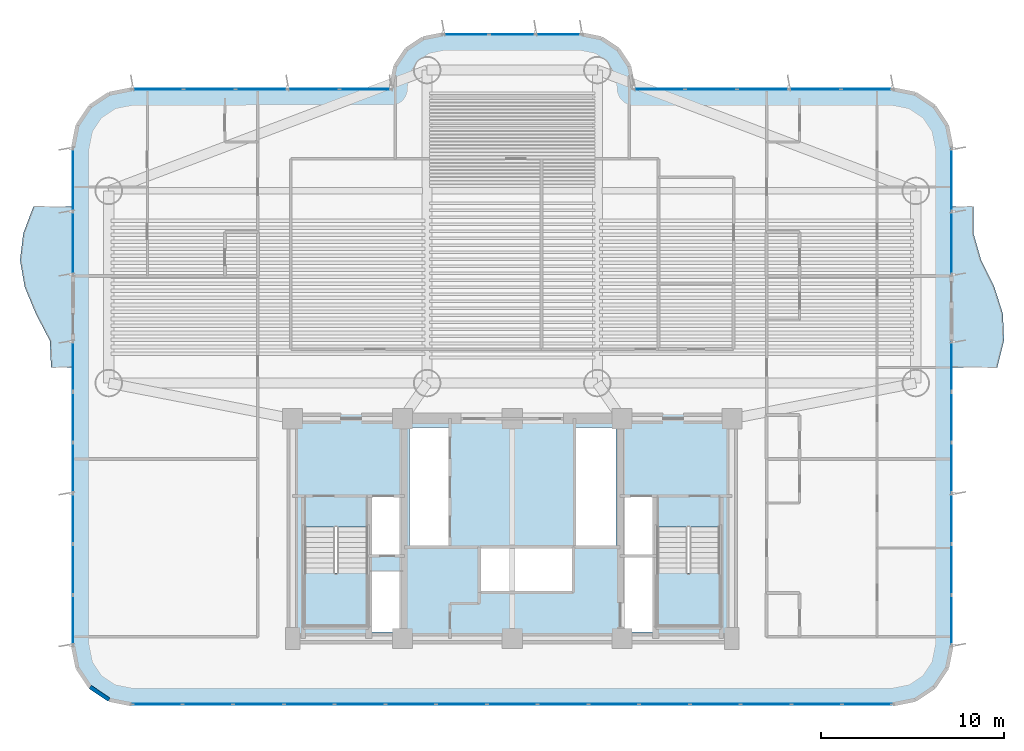
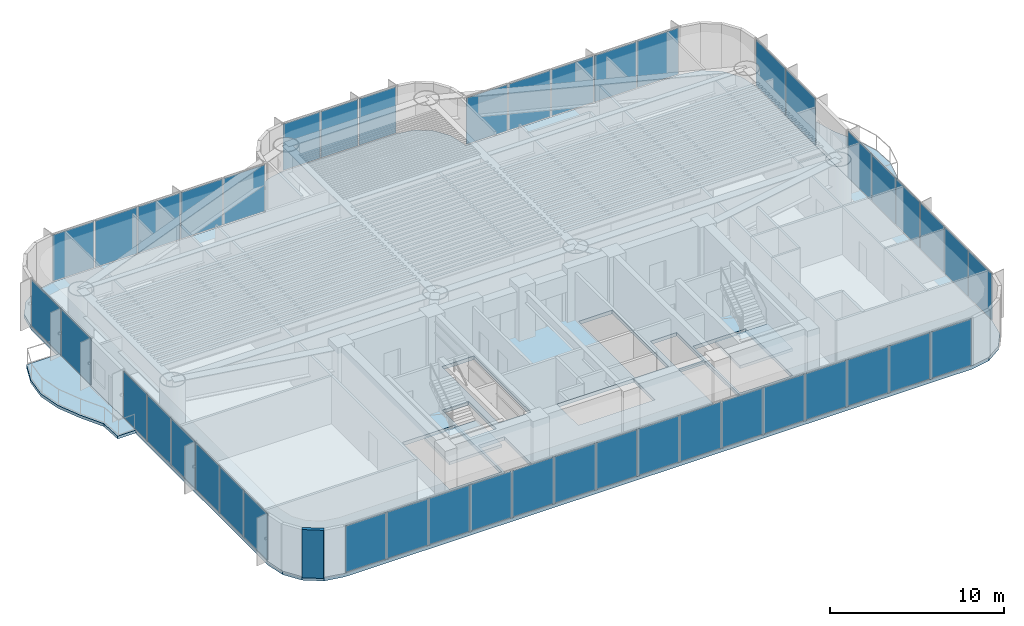
# One storey, part 8 of 17: 44 plates, 5 slabs, 1 wall, 10 elements without a shape of their own.
"""IFC4 building model written with IfcOpenShell, lengths in metres."""

from ifc_helpers import new_model, si_unit, direction, frame, frame_2d, origin, origin_2d, place, context, subcontext, project, spatial, polyline, rectangle, outline, extrude, source, transform, mapped, material, layer, layer_set, type_object, element, aggregate, save


model = new_model("IFC4")

# Units and contexts
model_context = context("Model", 3, precision=1e-05, world=origin(), true_north=direction((0.0, 1.0)))
body_context = subcontext(model_context, "Body", "Model", "MODEL_VIEW")
ifc_project = project(units=[si_unit("LENGTHUNIT", "METRE"), si_unit("AREAUNIT", "SQUARE_METRE"), si_unit("VOLUMEUNIT", "CUBIC_METRE"), si_unit("PLANEANGLEUNIT", "RADIAN"), si_unit("MASSUNIT", "GRAM", prefix="KILO")], contexts=[model_context])

# Site, building, storey
site_placement = place(None, origin())
site = spatial("IfcSite", under=ifc_project, at=site_placement, CompositionType="ELEMENT")
building_placement = place(site_placement, origin())
building = spatial("IfcBuilding", under=site, at=building_placement, Name="Brelvock Crest Care Tower", CompositionType="ELEMENT")
storey_placement = place(building_placement, frame((0.0, 0.0, 76.139892578125)))
storey = spatial("IfcBuildingStorey", under=building, at=storey_placement, Name="L19", CompositionType="ELEMENT", Elevation=76.139892578125)

# Slabs
ifc_material_1 = material(Name="Concrete N50 (50 MPa)", Category="concrete")
ifc_layer_1 = layer(ifc_material_1, 0.22998046875, Name="SLB-FL4")
ifc_layer_set_1 = layer_set([ifc_layer_1], Name="Concrete N50 (50 MPa)")
slab_type_1 = type_object("IfcSlabType", Name="SLB-FL4", PredefinedType="FLOOR", material=ifc_layer_set_1)
slab_1_placement = place(storey_placement, frame((0.0, 0.0, -0.25)))
element("IfcSlab", 1, at=slab_1_placement, inside=storey, type_object=slab_type_1, Name="L19 Main Structural Slab", PredefinedType="FLOOR", context=body_context, shape_type="SweptSolid", body=[
    extrude(outline(polyline([(56.800048828125, 36.0), (42.60009765625, 36.0), (42.60009765625, 36.199951171875), (42.386962890625, 37.271484375), (41.77978515625, 38.179931640625), (40.87158203125, 38.786865234375), (39.800048828125, 39.0), (32.199951171875, 39.0), (31.12841796875, 38.786865234375), (30.22021484375, 38.179931640625), (29.613037109375, 37.271484375), (29.39990234375, 36.199951171875), (29.39990234375, 36.0), (15.199951171875, 36.0), (13.975341796875, 35.75634765625), (12.937255859375, 35.062744140625), (12.24365234375, 34.024658203125), (12.0, 32.800048828125), (12.0, 5.60009765625), (12.24365234375, 4.37548828125), (12.937255859375, 3.33740234375), (13.975341796875, 2.6435546875), (15.199951171875, 2.39990234375), (56.800048828125, 2.39990234375), (58.024658203125, 2.6435546875), (59.062744140625, 3.33740234375), (59.75634765625, 4.37548828125), (60.0, 5.60009765625), (60.0, 32.800048828125), (59.75634765625, 34.024658203125), (59.062744140625, 35.062744140625), (58.024658203125, 35.75634765625), (56.800048828125, 36.0)]), holes=[polyline([(28.239990234375, 10.580078125), (29.97998046875, 10.580078125), (29.97998046875, 13.739990234375), (28.239990234375, 13.739990234375), (28.239990234375, 10.580078125)]), polyline([(42.02001953125, 10.580078125), (43.760009765625, 10.580078125), (43.760009765625, 13.739990234375), (42.02001953125, 13.739990234375), (42.02001953125, 10.580078125)]), polyline([(28.239990234375, 6.340087890625), (29.97998046875, 6.340087890625), (29.97998046875, 9.64990234375), (28.239990234375, 9.64990234375), (28.239990234375, 6.340087890625)]), polyline([(24.6298828125, 12.080078125), (24.6298828125, 6.699951171875), (28.110107421875, 6.699951171875), (28.110107421875, 12.080078125), (24.6298828125, 12.080078125)]), polyline([(43.889892578125, 12.080078125), (43.889892578125, 6.699951171875), (47.3701171875, 6.699951171875), (47.3701171875, 12.080078125), (43.889892578125, 12.080078125)]), polyline([(42.02001953125, 6.340087890625), (43.760009765625, 6.340087890625), (43.760009765625, 10.5), (42.02001953125, 10.5), (42.02001953125, 6.340087890625)]), polyline([(30.3798828125, 11.030029296875), (32.52001953125, 11.030029296875), (32.52001953125, 17.52001953125), (30.3798828125, 17.52001953125), (30.3798828125, 11.030029296875)]), polyline([(34.22998046875, 8.530029296875), (39.320068359375, 8.530029296875), (39.320068359375, 10.969970703125), (34.22998046875, 10.969970703125), (34.22998046875, 8.530029296875)]), polyline([(39.429931640625, 11.030029296875), (41.669921875, 11.030029296875), (41.669921875, 17.52001953125), (39.429931640625, 17.52001953125), (39.429931640625, 11.030029296875)])]), origin(), (0.0, 0.0, 1.0), 0.25),
])
ifc_layer_2 = layer(ifc_material_1, 0.199951171875, Name="SLB-WB2")
ifc_layer_set_2 = layer_set([ifc_layer_2], Name="Concrete N50 (50 MPa)")
slab_type_2 = type_object("IfcSlabType", Name="SLB-WB2", PredefinedType="FLOOR", material=ifc_layer_set_2)
slab_2_placement = place(storey_placement, frame((0.0, 0.0, -0.199951171875)))
element("IfcSlab", 2, at=slab_2_placement, inside=storey, type_object=slab_type_2, Name="L19 W Sinusoidal Wave Balcony Slab", PredefinedType="FLOOR", context=body_context, shape_type="SweptSolid", body=[
    extrude(outline(polyline([(12.0, 29.60009765625), (9.837158203125, 29.60009765625), (9.281005859375, 28.13330078125), (9.101806640625, 26.666748046875), (9.35791015625, 25.199951171875), (9.96630859375, 23.7333984375), (10.730712890625, 22.2666015625), (10.800048828125, 20.800048828125), (12.0, 20.800048828125), (12.0, 29.60009765625)])), origin(), (0.0, 0.0, 1.0), 0.199951171875),
])
slab_3_placement = place(storey_placement, frame((0.0, 0.0, -0.199951171875)))
element("IfcSlab", 3, at=slab_3_placement, inside=storey, type_object=slab_type_2, Name="L19 E Sinusoidal Wave Balcony Slab", PredefinedType="FLOOR", context=body_context, shape_type="SweptSolid", body=[
    extrude(outline(polyline([(60.0, 20.800048828125), (62.504638671875, 20.800048828125), (62.87060546875, 22.2666015625), (62.810302734375, 23.7333984375), (62.343505859375, 25.199951171875), (61.62060546875, 26.666748046875), (61.199951171875, 28.13330078125), (61.199951171875, 29.60009765625), (60.0, 29.60009765625), (60.0, 20.800048828125)])), origin(), (0.0, 0.0, 1.0), 0.199951171875),
])

# Stair, slab
ifc_material_2 = material(Name="Concrete N40 (40 MPa)", Category="concrete")
stair_type = type_object("IfcStairType", Name="ST-CORE1", PredefinedType="HALF_TURN_STAIR", material=ifc_material_2)
stair_1_placement = place(storey_placement, origin())
stair_1 = element("IfcStair", 4, at=stair_1_placement, inside=storey, type_object=stair_type, Name="L19 Fire-Isolated Core Stair ST-1", PredefinedType="HALF_TURN_STAIR")
ifc_layer_3 = layer(ifc_material_2, 0.199951171875, Name="STL-1")
ifc_layer_set_3 = layer_set([ifc_layer_3], Name="Concrete N40 (40 MPa)")
slab_type_3 = type_object("IfcSlabType", Name="STL-1", PredefinedType="LANDING", material=ifc_layer_set_3)
slab_4_placement = place(storey_placement, frame((0.0, 0.0, 1.690185546875)))
slab_4 = element("IfcSlab", 5, at=slab_4_placement, type_object=slab_type_3, Name="ST-1 landing 1", PredefinedType="LANDING", context=body_context, shape_type="SweptSolid", body=[
    extrude(outline(polyline([(24.6298828125, 9.56005859375), (24.6298828125, 6.699951171875), (28.110107421875, 6.699951171875), (28.110107421875, 9.56005859375), (24.6298828125, 9.56005859375)])), origin(), (0.0, 0.0, 1.0), 0.199951171875),
])
aggregate(stair_1, [slab_4])

stair_2_placement = place(storey_placement, origin())
stair_2 = element("IfcStair", 6, at=stair_2_placement, inside=storey, type_object=stair_type, Name="L19 Fire-Isolated Core Stair ST-2", PredefinedType="HALF_TURN_STAIR")
slab_5_placement = place(storey_placement, frame((0.0, 0.0, 1.690185546875)))
slab_5 = element("IfcSlab", 7, at=slab_5_placement, type_object=slab_type_3, Name="ST-2 landing 1", PredefinedType="LANDING", context=body_context, shape_type="SweptSolid", body=[
    extrude(outline(polyline([(43.889892578125, 9.56005859375), (43.889892578125, 6.699951171875), (47.3701171875, 6.699951171875), (47.3701171875, 9.56005859375), (43.889892578125, 9.56005859375)])), origin(), (0.0, 0.0, 1.0), 0.199951171875),
])
aggregate(stair_2, [slab_5])

# Curtain wall, plates
ifc_material_3 = material(Name="Dark Glass Double Glazed Low-E", Category="glass")
ifc_layer_4 = layer(ifc_material_3, 0.195068359375, Name="CWS-2")
ifc_layer_set_4 = layer_set([ifc_layer_4], Name="Dark Glass Double Glazed Low-E")
curtain_wall_type = type_object("IfcCurtainWallType", Name="CWS-2", PredefinedType="NOTDEFINED", material=ifc_layer_set_4)
curtain_wall_1_placement = place(storey_placement, origin())
curtain_wall_1 = element("IfcCurtainWall", 8, at=curtain_wall_1_placement, inside=storey, type_object=curtain_wall_type, Name="L19 Curtain Wall E03A", PredefinedType="NOTDEFINED")
ifc_layer_5 = layer(ifc_material_3, 0.031982421875, Name="CWP-V1")
ifc_layer_set_5 = layer_set([ifc_layer_5], Name="Dark Glass Double Glazed Low-E")
plate_type = type_object("IfcPlateType", Name="CWP-V1", PredefinedType="CURTAIN_PANEL", material=ifc_layer_set_5)
shared_shape_1 = source(origin(), body_context, "Body", "SweptSolid", [
    extrude(rectangle(XDim=3.37744140625, YDim=0.035888671875, at=origin_2d()), origin(), (0.0, 0.0, 1.0), 3.241943359375),
])
plate_1_placement = place(storey_placement, frame((60.0, 31.046142578125, 0.06494140625), z_axis=(0.0, 0.0, 1.0), x_axis=(0.0, -1.0, 0.0)))
plate_1 = element("IfcPlate", 9, at=plate_1_placement, type_object=plate_type, Name="CW-2 panel 1.1", PredefinedType="CURTAIN_PANEL", context=body_context, shape_type="MappedRepresentation", body=[
    mapped(shared_shape_1, transform((0.0, 0.0, 0.0), x_axis=(1.0, 0.0, 0.0), y_axis=(0.0, 1.0, 0.0), z_axis=(0.0, 0.0, 1.0), scale=1.0)),
])
plate_2_placement = place(storey_placement, frame((60.0, 27.603759765625, 0.06494140625), z_axis=(0.0, 0.0, 1.0), x_axis=(0.0, -1.0, 0.0)))
plate_2 = element("IfcPlate", 10, at=plate_2_placement, type_object=plate_type, Name="CW-2 panel 2.1", PredefinedType="CURTAIN_PANEL", context=body_context, shape_type="MappedRepresentation", body=[
    mapped(shared_shape_1, transform((0.0, 0.0, 0.0), x_axis=(1.0, 0.0, 0.0), y_axis=(0.0, 1.0, 0.0), z_axis=(0.0, 0.0, 1.0), scale=1.0)),
])
aggregate(curtain_wall_1, [plate_1, plate_2])

curtain_wall_2_placement = place(storey_placement, origin())
curtain_wall_2 = element("IfcCurtainWall", 11, at=curtain_wall_2_placement, inside=storey, type_object=curtain_wall_type, Name="L19 Curtain Wall E13B", PredefinedType="NOTDEFINED")
plate_3_placement = place(storey_placement, frame((12.0, 27.603759765625, 0.06494140625), z_axis=(0.0, 0.0, 1.0), x_axis=(0.0, 1.0, 0.0)))
plate_3 = element("IfcPlate", 12, at=plate_3_placement, type_object=plate_type, Name="CW-2 panel 1.1", PredefinedType="CURTAIN_PANEL", context=body_context, shape_type="MappedRepresentation", body=[
    mapped(shared_shape_1, transform((0.0, 0.0, 0.0), x_axis=(1.0, 0.0, 0.0), y_axis=(0.0, 1.0, 0.0), z_axis=(0.0, 0.0, 1.0), scale=1.0)),
])
plate_4_placement = place(storey_placement, frame((12.0, 31.046142578125, 0.06494140625), z_axis=(0.0, 0.0, 1.0), x_axis=(0.0, 1.0, 0.0)))
plate_4 = element("IfcPlate", 13, at=plate_4_placement, type_object=plate_type, Name="CW-2 panel 2.1", PredefinedType="CURTAIN_PANEL", context=body_context, shape_type="MappedRepresentation", body=[
    mapped(shared_shape_1, transform((0.0, 0.0, 0.0), x_axis=(1.0, 0.0, 0.0), y_axis=(0.0, 1.0, 0.0), z_axis=(0.0, 0.0, 1.0), scale=1.0)),
])
aggregate(curtain_wall_2, [plate_3, plate_4])

curtain_wall_3_placement = place(storey_placement, origin())
curtain_wall_3 = element("IfcCurtainWall", 14, at=curtain_wall_3_placement, inside=storey, type_object=curtain_wall_type, Name="L19 Curtain Wall E03B", PredefinedType="NOTDEFINED")
shared_shape_2 = source(origin(), body_context, "Body", "SweptSolid", [
    extrude(rectangle(XDim=2.677490234375, YDim=0.035888671875, at=origin_2d()), origin(), (0.0, 0.0, 1.0), 3.241943359375),
])
plate_5_placement = place(storey_placement, frame((60.0, 20.84619140625, 0.06494140625), z_axis=(0.0, 0.0, 1.0), x_axis=(0.0, -1.0, 0.0)))
plate_5 = element("IfcPlate", 15, at=plate_5_placement, type_object=plate_type, Name="CW-2 panel 1.1", PredefinedType="CURTAIN_PANEL", context=body_context, shape_type="MappedRepresentation", body=[
    mapped(shared_shape_2, transform((0.0, 0.0, 0.0), x_axis=(1.0, 0.0, 0.0), y_axis=(0.0, 1.0, 0.0), z_axis=(0.0, 0.0, 1.0), scale=1.0)),
])
plate_6_placement = place(storey_placement, frame((60.0, 7.003662109375, 0.06494140625), z_axis=(0.0, 0.0, 1.0), x_axis=(0.0, -1.0, 0.0)))
plate_6 = element("IfcPlate", 16, at=plate_6_placement, type_object=plate_type, Name="CW-2 panel 6.1", PredefinedType="CURTAIN_PANEL", context=body_context, shape_type="MappedRepresentation", body=[
    mapped(shared_shape_2, transform((0.0, 0.0, 0.0), x_axis=(1.0, 0.0, 0.0), y_axis=(0.0, 1.0, 0.0), z_axis=(0.0, 0.0, 1.0), scale=1.0)),
])

curtain_wall_4_placement = place(storey_placement, origin())
curtain_wall_4 = element("IfcCurtainWall", 17, at=curtain_wall_4_placement, inside=storey, type_object=curtain_wall_type, Name="L19 Curtain Wall E13A", PredefinedType="NOTDEFINED")
plate_7_placement = place(storey_placement, frame((12.0, 7.003662109375, 0.06494140625), z_axis=(0.0, 0.0, 1.0), x_axis=(0.0, 1.0, 0.0)))
plate_7 = element("IfcPlate", 18, at=plate_7_placement, type_object=plate_type, Name="CW-2 panel 1.1", PredefinedType="CURTAIN_PANEL", context=body_context, shape_type="MappedRepresentation", body=[
    mapped(shared_shape_2, transform((0.0, 0.0, 0.0), x_axis=(1.0, 0.0, 0.0), y_axis=(0.0, 1.0, 0.0), z_axis=(0.0, 0.0, 1.0), scale=1.0)),
])
plate_8_placement = place(storey_placement, frame((12.0, 20.84619140625, 0.06494140625), z_axis=(0.0, 0.0, 1.0), x_axis=(0.0, 1.0, 0.0)))
plate_8 = element("IfcPlate", 19, at=plate_8_placement, type_object=plate_type, Name="CW-2 panel 6.1", PredefinedType="CURTAIN_PANEL", context=body_context, shape_type="MappedRepresentation", body=[
    mapped(shared_shape_2, transform((0.0, 0.0, 0.0), x_axis=(1.0, 0.0, 0.0), y_axis=(0.0, 1.0, 0.0), z_axis=(0.0, 0.0, 1.0), scale=1.0)),
])

# Plate
shared_shape_3 = source(origin(), body_context, "Body", "SweptSolid", [
    extrude(rectangle(XDim=2.7099609375, YDim=0.035888671875, at=origin_2d()), origin(), (0.0, 0.0, 1.0), 3.241943359375),
])
plate_9_placement = place(storey_placement, frame((60.0, 18.08740234375, 0.06494140625), z_axis=(0.0, 0.0, 1.0), x_axis=(0.0, -1.0, 0.0)))
plate_9 = element("IfcPlate", 20, at=plate_9_placement, type_object=plate_type, Name="CW-2 panel 2.1", PredefinedType="CURTAIN_PANEL", context=body_context, shape_type="MappedRepresentation", body=[
    mapped(shared_shape_3, transform((0.0, 0.0, 0.0), x_axis=(1.0, 0.0, 0.0), y_axis=(0.0, 1.0, 0.0), z_axis=(0.0, 0.0, 1.0), scale=1.0)),
])

plate_10_placement = place(storey_placement, frame((60.0, 15.3125, 0.06494140625), z_axis=(0.0, 0.0, 1.0), x_axis=(0.0, -1.0, 0.0)))
plate_10 = element("IfcPlate", 21, at=plate_10_placement, type_object=plate_type, Name="CW-2 panel 3.1", PredefinedType="CURTAIN_PANEL", context=body_context, shape_type="MappedRepresentation", body=[
    mapped(shared_shape_3, transform((0.0, 0.0, 0.0), x_axis=(1.0, 0.0, 0.0), y_axis=(0.0, 1.0, 0.0), z_axis=(0.0, 0.0, 1.0), scale=1.0)),
])

plate_11_placement = place(storey_placement, frame((60.0, 12.53759765625, 0.06494140625), z_axis=(0.0, 0.0, 1.0), x_axis=(0.0, -1.0, 0.0)))
plate_11 = element("IfcPlate", 22, at=plate_11_placement, type_object=plate_type, Name="CW-2 panel 4.1", PredefinedType="CURTAIN_PANEL", context=body_context, shape_type="MappedRepresentation", body=[
    mapped(shared_shape_3, transform((0.0, 0.0, 0.0), x_axis=(1.0, 0.0, 0.0), y_axis=(0.0, 1.0, 0.0), z_axis=(0.0, 0.0, 1.0), scale=1.0)),
])

plate_12_placement = place(storey_placement, frame((60.0, 9.762451171875, 0.06494140625), z_axis=(0.0, 0.0, 1.0), x_axis=(0.0, -1.0, 0.0)))
plate_12 = element("IfcPlate", 23, at=plate_12_placement, type_object=plate_type, Name="CW-2 panel 5.1", PredefinedType="CURTAIN_PANEL", context=body_context, shape_type="MappedRepresentation", body=[
    mapped(shared_shape_3, transform((0.0, 0.0, 0.0), x_axis=(1.0, 0.0, 0.0), y_axis=(0.0, 1.0, 0.0), z_axis=(0.0, 0.0, 1.0), scale=1.0)),
])

aggregate(curtain_wall_3, [plate_5, plate_9, plate_10, plate_11, plate_12, plate_6])

plate_13_placement = place(storey_placement, frame((12.0, 9.762451171875, 0.06494140625), z_axis=(0.0, 0.0, 1.0), x_axis=(0.0, 1.0, 0.0)))
plate_13 = element("IfcPlate", 24, at=plate_13_placement, type_object=plate_type, Name="CW-2 panel 2.1", PredefinedType="CURTAIN_PANEL", context=body_context, shape_type="MappedRepresentation", body=[
    mapped(shared_shape_3, transform((0.0, 0.0, 0.0), x_axis=(1.0, 0.0, 0.0), y_axis=(0.0, 1.0, 0.0), z_axis=(0.0, 0.0, 1.0), scale=1.0)),
])

plate_14_placement = place(storey_placement, frame((12.0, 12.53759765625, 0.06494140625), z_axis=(0.0, 0.0, 1.0), x_axis=(0.0, 1.0, 0.0)))
plate_14 = element("IfcPlate", 25, at=plate_14_placement, type_object=plate_type, Name="CW-2 panel 3.1", PredefinedType="CURTAIN_PANEL", context=body_context, shape_type="MappedRepresentation", body=[
    mapped(shared_shape_3, transform((0.0, 0.0, 0.0), x_axis=(1.0, 0.0, 0.0), y_axis=(0.0, 1.0, 0.0), z_axis=(0.0, 0.0, 1.0), scale=1.0)),
])

plate_15_placement = place(storey_placement, frame((12.0, 15.3125, 0.06494140625), z_axis=(0.0, 0.0, 1.0), x_axis=(0.0, 1.0, 0.0)))
plate_15 = element("IfcPlate", 26, at=plate_15_placement, type_object=plate_type, Name="CW-2 panel 4.1", PredefinedType="CURTAIN_PANEL", context=body_context, shape_type="MappedRepresentation", body=[
    mapped(shared_shape_3, transform((0.0, 0.0, 0.0), x_axis=(1.0, 0.0, 0.0), y_axis=(0.0, 1.0, 0.0), z_axis=(0.0, 0.0, 1.0), scale=1.0)),
])

plate_16_placement = place(storey_placement, frame((12.0, 18.08740234375, 0.06494140625), z_axis=(0.0, 0.0, 1.0), x_axis=(0.0, 1.0, 0.0)))
plate_16 = element("IfcPlate", 27, at=plate_16_placement, type_object=plate_type, Name="CW-2 panel 5.1", PredefinedType="CURTAIN_PANEL", context=body_context, shape_type="MappedRepresentation", body=[
    mapped(shared_shape_3, transform((0.0, 0.0, 0.0), x_axis=(1.0, 0.0, 0.0), y_axis=(0.0, 1.0, 0.0), z_axis=(0.0, 0.0, 1.0), scale=1.0)),
])

aggregate(curtain_wall_4, [plate_7, plate_13, plate_14, plate_15, plate_16, plate_8])

# Curtain wall, plates
curtain_wall_5_placement = place(storey_placement, origin())
curtain_wall_5 = element("IfcCurtainWall", 28, at=curtain_wall_5_placement, inside=storey, type_object=curtain_wall_type, Name="L19 Curtain Wall E08", PredefinedType="NOTDEFINED")
shared_shape_4 = source(origin(), body_context, "Body", "SweptSolid", [
    extrude(rectangle(XDim=2.67578125, YDim=0.035888671875, at=origin_2d()), origin(), (0.0, 0.0, 1.0), 3.241943359375),
])
plate_17_placement = place(storey_placement, frame((55.39697265625, 2.39990234375, 0.06494140625), z_axis=(0.0, 0.0, 1.0), x_axis=(-1.0, 0.0, 0.0)))
plate_17 = element("IfcPlate", 29, at=plate_17_placement, type_object=plate_type, Name="CW-2 panel 1.1", PredefinedType="CURTAIN_PANEL", context=body_context, shape_type="MappedRepresentation", body=[
    mapped(shared_shape_4, transform((0.0, 0.0, 0.0), x_axis=(1.0, 0.0, 0.0), y_axis=(0.0, 1.0, 0.0), z_axis=(0.0, 0.0, 1.0), scale=1.0)),
])
plate_18_placement = place(storey_placement, frame((16.60302734375, 2.39990234375, 0.06494140625), z_axis=(0.0, 0.0, 1.0), x_axis=(-1.0, 0.0, 0.0)))
plate_18 = element("IfcPlate", 30, at=plate_18_placement, type_object=plate_type, Name="CW-2 panel 15.1", PredefinedType="CURTAIN_PANEL", context=body_context, shape_type="MappedRepresentation", body=[
    mapped(shared_shape_4, transform((0.0, 0.0, 0.0), x_axis=(1.0, 0.0, 0.0), y_axis=(0.0, 1.0, 0.0), z_axis=(0.0, 0.0, 1.0), scale=1.0)),
])
shared_shape_5 = source(origin(), body_context, "Body", "SweptSolid", [
    extrude(rectangle(XDim=2.708251953125, YDim=0.035888671875, at=origin_2d()), origin(), (0.0, 0.0, 1.0), 3.241943359375),
])
plate_19_placement = place(storey_placement, frame((52.639892578125, 2.39990234375, 0.06494140625), z_axis=(0.0, 0.0, 1.0), x_axis=(-1.0, 0.0, 0.0)))
plate_19 = element("IfcPlate", 31, at=plate_19_placement, type_object=plate_type, Name="CW-2 panel 2.1", PredefinedType="CURTAIN_PANEL", context=body_context, shape_type="MappedRepresentation", body=[
    mapped(shared_shape_5, transform((0.0, 0.0, 0.0), x_axis=(1.0, 0.0, 0.0), y_axis=(0.0, 1.0, 0.0), z_axis=(0.0, 0.0, 1.0), scale=1.0)),
])
plate_20_placement = place(storey_placement, frame((49.86669921875, 2.39990234375, 0.06494140625), z_axis=(0.0, 0.0, 1.0), x_axis=(-1.0, 0.0, 0.0)))
plate_20 = element("IfcPlate", 32, at=plate_20_placement, type_object=plate_type, Name="CW-2 panel 3.1", PredefinedType="CURTAIN_PANEL", context=body_context, shape_type="MappedRepresentation", body=[
    mapped(shared_shape_5, transform((0.0, 0.0, 0.0), x_axis=(1.0, 0.0, 0.0), y_axis=(0.0, 1.0, 0.0), z_axis=(0.0, 0.0, 1.0), scale=1.0)),
])
plate_21_placement = place(storey_placement, frame((47.09326171875, 2.39990234375, 0.06494140625), z_axis=(0.0, 0.0, 1.0), x_axis=(-1.0, 0.0, 0.0)))
plate_21 = element("IfcPlate", 33, at=plate_21_placement, type_object=plate_type, Name="CW-2 panel 4.1", PredefinedType="CURTAIN_PANEL", context=body_context, shape_type="MappedRepresentation", body=[
    mapped(shared_shape_5, transform((0.0, 0.0, 0.0), x_axis=(1.0, 0.0, 0.0), y_axis=(0.0, 1.0, 0.0), z_axis=(0.0, 0.0, 1.0), scale=1.0)),
])
plate_22_placement = place(storey_placement, frame((44.320068359375, 2.39990234375, 0.06494140625), z_axis=(0.0, 0.0, 1.0), x_axis=(-1.0, 0.0, 0.0)))
plate_22 = element("IfcPlate", 34, at=plate_22_placement, type_object=plate_type, Name="CW-2 panel 5.1", PredefinedType="CURTAIN_PANEL", context=body_context, shape_type="MappedRepresentation", body=[
    mapped(shared_shape_5, transform((0.0, 0.0, 0.0), x_axis=(1.0, 0.0, 0.0), y_axis=(0.0, 1.0, 0.0), z_axis=(0.0, 0.0, 1.0), scale=1.0)),
])
plate_23_placement = place(storey_placement, frame((41.546630859375, 2.39990234375, 0.06494140625), z_axis=(0.0, 0.0, 1.0), x_axis=(-1.0, 0.0, 0.0)))
plate_23 = element("IfcPlate", 35, at=plate_23_placement, type_object=plate_type, Name="CW-2 panel 6.1", PredefinedType="CURTAIN_PANEL", context=body_context, shape_type="MappedRepresentation", body=[
    mapped(shared_shape_5, transform((0.0, 0.0, 0.0), x_axis=(1.0, 0.0, 0.0), y_axis=(0.0, 1.0, 0.0), z_axis=(0.0, 0.0, 1.0), scale=1.0)),
])
plate_24_placement = place(storey_placement, frame((38.7734375, 2.39990234375, 0.06494140625), z_axis=(0.0, 0.0, 1.0), x_axis=(-1.0, 0.0, 0.0)))
plate_24 = element("IfcPlate", 36, at=plate_24_placement, type_object=plate_type, Name="CW-2 panel 7.1", PredefinedType="CURTAIN_PANEL", context=body_context, shape_type="MappedRepresentation", body=[
    mapped(shared_shape_5, transform((0.0, 0.0, 0.0), x_axis=(1.0, 0.0, 0.0), y_axis=(0.0, 1.0, 0.0), z_axis=(0.0, 0.0, 1.0), scale=1.0)),
])
plate_25_placement = place(storey_placement, frame((36.0, 2.39990234375, 0.06494140625), z_axis=(0.0, 0.0, 1.0), x_axis=(-1.0, 0.0, 0.0)))
plate_25 = element("IfcPlate", 37, at=plate_25_placement, type_object=plate_type, Name="CW-2 panel 8.1", PredefinedType="CURTAIN_PANEL", context=body_context, shape_type="MappedRepresentation", body=[
    mapped(shared_shape_5, transform((0.0, 0.0, 0.0), x_axis=(1.0, 0.0, 0.0), y_axis=(0.0, 1.0, 0.0), z_axis=(0.0, 0.0, 1.0), scale=1.0)),
])
plate_26_placement = place(storey_placement, frame((33.2265625, 2.39990234375, 0.06494140625), z_axis=(0.0, 0.0, 1.0), x_axis=(-1.0, 0.0, 0.0)))
plate_26 = element("IfcPlate", 38, at=plate_26_placement, type_object=plate_type, Name="CW-2 panel 9.1", PredefinedType="CURTAIN_PANEL", context=body_context, shape_type="MappedRepresentation", body=[
    mapped(shared_shape_5, transform((0.0, 0.0, 0.0), x_axis=(1.0, 0.0, 0.0), y_axis=(0.0, 1.0, 0.0), z_axis=(0.0, 0.0, 1.0), scale=1.0)),
])
plate_27_placement = place(storey_placement, frame((30.453369140625, 2.39990234375, 0.06494140625), z_axis=(0.0, 0.0, 1.0), x_axis=(-1.0, 0.0, 0.0)))
plate_27 = element("IfcPlate", 39, at=plate_27_placement, type_object=plate_type, Name="CW-2 panel 10.1", PredefinedType="CURTAIN_PANEL", context=body_context, shape_type="MappedRepresentation", body=[
    mapped(shared_shape_5, transform((0.0, 0.0, 0.0), x_axis=(1.0, 0.0, 0.0), y_axis=(0.0, 1.0, 0.0), z_axis=(0.0, 0.0, 1.0), scale=1.0)),
])
plate_28_placement = place(storey_placement, frame((27.679931640625, 2.39990234375, 0.06494140625), z_axis=(0.0, 0.0, 1.0), x_axis=(-1.0, 0.0, 0.0)))
plate_28 = element("IfcPlate", 40, at=plate_28_placement, type_object=plate_type, Name="CW-2 panel 11.1", PredefinedType="CURTAIN_PANEL", context=body_context, shape_type="MappedRepresentation", body=[
    mapped(shared_shape_5, transform((0.0, 0.0, 0.0), x_axis=(1.0, 0.0, 0.0), y_axis=(0.0, 1.0, 0.0), z_axis=(0.0, 0.0, 1.0), scale=1.0)),
])
plate_29_placement = place(storey_placement, frame((24.90673828125, 2.39990234375, 0.06494140625), z_axis=(0.0, 0.0, 1.0), x_axis=(-1.0, 0.0, 0.0)))
plate_29 = element("IfcPlate", 41, at=plate_29_placement, type_object=plate_type, Name="CW-2 panel 12.1", PredefinedType="CURTAIN_PANEL", context=body_context, shape_type="MappedRepresentation", body=[
    mapped(shared_shape_5, transform((0.0, 0.0, 0.0), x_axis=(1.0, 0.0, 0.0), y_axis=(0.0, 1.0, 0.0), z_axis=(0.0, 0.0, 1.0), scale=1.0)),
])
plate_30_placement = place(storey_placement, frame((22.13330078125, 2.39990234375, 0.06494140625), z_axis=(0.0, 0.0, 1.0), x_axis=(-1.0, 0.0, 0.0)))
plate_30 = element("IfcPlate", 42, at=plate_30_placement, type_object=plate_type, Name="CW-2 panel 13.1", PredefinedType="CURTAIN_PANEL", context=body_context, shape_type="MappedRepresentation", body=[
    mapped(shared_shape_5, transform((0.0, 0.0, 0.0), x_axis=(1.0, 0.0, 0.0), y_axis=(0.0, 1.0, 0.0), z_axis=(0.0, 0.0, 1.0), scale=1.0)),
])
plate_31_placement = place(storey_placement, frame((19.360107421875, 2.39990234375, 0.06494140625), z_axis=(0.0, 0.0, 1.0), x_axis=(-1.0, 0.0, 0.0)))
plate_31 = element("IfcPlate", 43, at=plate_31_placement, type_object=plate_type, Name="CW-2 panel 14.1", PredefinedType="CURTAIN_PANEL", context=body_context, shape_type="MappedRepresentation", body=[
    mapped(shared_shape_5, transform((0.0, 0.0, 0.0), x_axis=(1.0, 0.0, 0.0), y_axis=(0.0, 1.0, 0.0), z_axis=(0.0, 0.0, 1.0), scale=1.0)),
])
aggregate(curtain_wall_5, [plate_17, plate_19, plate_20, plate_21, plate_22, plate_23, plate_24, plate_25, plate_26, plate_27, plate_28, plate_29, plate_30, plate_31, plate_18])

curtain_wall_6_placement = place(storey_placement, origin())
curtain_wall_6 = element("IfcCurtainWall", 44, at=curtain_wall_6_placement, inside=storey, type_object=curtain_wall_type, Name="L19 Curtain Wall E18", PredefinedType="NOTDEFINED")
shared_shape_6 = source(origin(), body_context, "Body", "SweptSolid", [
    extrude(rectangle(XDim=2.742431640625, YDim=0.035888671875, at=origin_2d()), origin(), (0.0, 0.0, 1.0), 3.241943359375),
])
plate_32_placement = place(storey_placement, frame((16.63623046875, 36.0, 0.06494140625), z_axis=(0.0, 0.0, 1.0), x_axis=(1.0, 0.0, 0.0)))
plate_32 = element("IfcPlate", 45, at=plate_32_placement, type_object=plate_type, Name="CW-2 panel 1.1", PredefinedType="CURTAIN_PANEL", context=body_context, shape_type="MappedRepresentation", body=[
    mapped(shared_shape_6, transform((0.0, 0.0, 0.0), x_axis=(1.0, 0.0, 0.0), y_axis=(0.0, 1.0, 0.0), z_axis=(0.0, 0.0, 1.0), scale=1.0)),
])
plate_33_placement = place(storey_placement, frame((27.9638671875, 36.0, 0.06494140625), z_axis=(0.0, 0.0, 1.0), x_axis=(1.0, 0.0, 0.0)))
plate_33 = element("IfcPlate", 46, at=plate_33_placement, type_object=plate_type, Name="CW-2 panel 5.1", PredefinedType="CURTAIN_PANEL", context=body_context, shape_type="MappedRepresentation", body=[
    mapped(shared_shape_6, transform((0.0, 0.0, 0.0), x_axis=(1.0, 0.0, 0.0), y_axis=(0.0, 1.0, 0.0), z_axis=(0.0, 0.0, 1.0), scale=1.0)),
])

curtain_wall_7_placement = place(storey_placement, origin())
curtain_wall_7 = element("IfcCurtainWall", 47, at=curtain_wall_7_placement, inside=storey, type_object=curtain_wall_type, Name="L19 Curtain Wall E30", PredefinedType="NOTDEFINED")
plate_34_placement = place(storey_placement, frame((44.0361328125, 36.0, 0.06494140625), z_axis=(0.0, 0.0, 1.0), x_axis=(1.0, 0.0, 0.0)))
plate_34 = element("IfcPlate", 48, at=plate_34_placement, type_object=plate_type, Name="CW-2 panel 1.1", PredefinedType="CURTAIN_PANEL", context=body_context, shape_type="MappedRepresentation", body=[
    mapped(shared_shape_6, transform((0.0, 0.0, 0.0), x_axis=(1.0, 0.0, 0.0), y_axis=(0.0, 1.0, 0.0), z_axis=(0.0, 0.0, 1.0), scale=1.0)),
])
plate_35_placement = place(storey_placement, frame((55.36376953125, 36.0, 0.06494140625), z_axis=(0.0, 0.0, 1.0), x_axis=(1.0, 0.0, 0.0)))
plate_35 = element("IfcPlate", 49, at=plate_35_placement, type_object=plate_type, Name="CW-2 panel 5.1", PredefinedType="CURTAIN_PANEL", context=body_context, shape_type="MappedRepresentation", body=[
    mapped(shared_shape_6, transform((0.0, 0.0, 0.0), x_axis=(1.0, 0.0, 0.0), y_axis=(0.0, 1.0, 0.0), z_axis=(0.0, 0.0, 1.0), scale=1.0)),
])

# Plate
shared_shape_7 = source(origin(), body_context, "Body", "SweptSolid", [
    extrude(rectangle(XDim=2.77490234375, YDim=0.035888671875, at=origin_2d()), origin(), (0.0, 0.0, 1.0), 3.241943359375),
])
plate_36_placement = place(storey_placement, frame((19.4599609375, 36.0, 0.06494140625), z_axis=(0.0, 0.0, 1.0), x_axis=(1.0, 0.0, 0.0)))
plate_36 = element("IfcPlate", 50, at=plate_36_placement, type_object=plate_type, Name="CW-2 panel 2.1", PredefinedType="CURTAIN_PANEL", context=body_context, shape_type="MappedRepresentation", body=[
    mapped(shared_shape_7, transform((0.0, 0.0, 0.0), x_axis=(1.0, 0.0, 0.0), y_axis=(0.0, 1.0, 0.0), z_axis=(0.0, 0.0, 1.0), scale=1.0)),
])

plate_37_placement = place(storey_placement, frame((22.300048828125, 36.0, 0.06494140625), z_axis=(0.0, 0.0, 1.0), x_axis=(1.0, 0.0, 0.0)))
plate_37 = element("IfcPlate", 51, at=plate_37_placement, type_object=plate_type, Name="CW-2 panel 3.1", PredefinedType="CURTAIN_PANEL", context=body_context, shape_type="MappedRepresentation", body=[
    mapped(shared_shape_7, transform((0.0, 0.0, 0.0), x_axis=(1.0, 0.0, 0.0), y_axis=(0.0, 1.0, 0.0), z_axis=(0.0, 0.0, 1.0), scale=1.0)),
])

plate_38_placement = place(storey_placement, frame((25.139892578125, 36.0, 0.06494140625), z_axis=(0.0, 0.0, 1.0), x_axis=(1.0, 0.0, 0.0)))
plate_38 = element("IfcPlate", 52, at=plate_38_placement, type_object=plate_type, Name="CW-2 panel 4.1", PredefinedType="CURTAIN_PANEL", context=body_context, shape_type="MappedRepresentation", body=[
    mapped(shared_shape_7, transform((0.0, 0.0, 0.0), x_axis=(1.0, 0.0, 0.0), y_axis=(0.0, 1.0, 0.0), z_axis=(0.0, 0.0, 1.0), scale=1.0)),
])

aggregate(curtain_wall_6, [plate_32, plate_36, plate_37, plate_38, plate_33])

plate_39_placement = place(storey_placement, frame((46.860107421875, 36.0, 0.06494140625), z_axis=(0.0, 0.0, 1.0), x_axis=(1.0, 0.0, 0.0)))
plate_39 = element("IfcPlate", 53, at=plate_39_placement, type_object=plate_type, Name="CW-2 panel 2.1", PredefinedType="CURTAIN_PANEL", context=body_context, shape_type="MappedRepresentation", body=[
    mapped(shared_shape_7, transform((0.0, 0.0, 0.0), x_axis=(1.0, 0.0, 0.0), y_axis=(0.0, 1.0, 0.0), z_axis=(0.0, 0.0, 1.0), scale=1.0)),
])

plate_40_placement = place(storey_placement, frame((49.699951171875, 36.0, 0.06494140625), z_axis=(0.0, 0.0, 1.0), x_axis=(1.0, 0.0, 0.0)))
plate_40 = element("IfcPlate", 54, at=plate_40_placement, type_object=plate_type, Name="CW-2 panel 3.1", PredefinedType="CURTAIN_PANEL", context=body_context, shape_type="MappedRepresentation", body=[
    mapped(shared_shape_7, transform((0.0, 0.0, 0.0), x_axis=(1.0, 0.0, 0.0), y_axis=(0.0, 1.0, 0.0), z_axis=(0.0, 0.0, 1.0), scale=1.0)),
])

plate_41_placement = place(storey_placement, frame((52.5400390625, 36.0, 0.06494140625), z_axis=(0.0, 0.0, 1.0), x_axis=(1.0, 0.0, 0.0)))
plate_41 = element("IfcPlate", 55, at=plate_41_placement, type_object=plate_type, Name="CW-2 panel 4.1", PredefinedType="CURTAIN_PANEL", context=body_context, shape_type="MappedRepresentation", body=[
    mapped(shared_shape_7, transform((0.0, 0.0, 0.0), x_axis=(1.0, 0.0, 0.0), y_axis=(0.0, 1.0, 0.0), z_axis=(0.0, 0.0, 1.0), scale=1.0)),
])

aggregate(curtain_wall_7, [plate_34, plate_39, plate_40, plate_41, plate_35])

# Curtain wall, plates
curtain_wall_8_placement = place(storey_placement, origin())
curtain_wall_8 = element("IfcCurtainWall", 56, at=curtain_wall_8_placement, inside=storey, type_object=curtain_wall_type, Name="L19 Curtain Wall E24", PredefinedType="NOTDEFINED")
shared_shape_8 = source(origin(), body_context, "Body", "SweptSolid", [
    extrude(rectangle(XDim=2.435791015625, YDim=0.035888671875, at=origin_2d()), origin(), (0.0, 0.0, 1.0), 3.241943359375),
])
plate_42_placement = place(storey_placement, frame((33.48291015625, 39.0, 0.06494140625), z_axis=(0.0, 0.0, 1.0), x_axis=(1.0, 0.0, 0.0)))
plate_42 = element("IfcPlate", 57, at=plate_42_placement, type_object=plate_type, Name="CW-2 panel 1.1", PredefinedType="CURTAIN_PANEL", context=body_context, shape_type="MappedRepresentation", body=[
    mapped(shared_shape_8, transform((0.0, 0.0, 0.0), x_axis=(1.0, 0.0, 0.0), y_axis=(0.0, 1.0, 0.0), z_axis=(0.0, 0.0, 1.0), scale=1.0)),
])
plate_43_placement = place(storey_placement, frame((38.51708984375, 39.0, 0.06494140625), z_axis=(0.0, 0.0, 1.0), x_axis=(1.0, 0.0, 0.0)))
plate_43 = element("IfcPlate", 58, at=plate_43_placement, type_object=plate_type, Name="CW-2 panel 3.1", PredefinedType="CURTAIN_PANEL", context=body_context, shape_type="MappedRepresentation", body=[
    mapped(shared_shape_8, transform((0.0, 0.0, 0.0), x_axis=(1.0, 0.0, 0.0), y_axis=(0.0, 1.0, 0.0), z_axis=(0.0, 0.0, 1.0), scale=1.0)),
])
shared_shape_9 = source(origin(), body_context, "Body", "SweptSolid", [
    extrude(rectangle(XDim=2.46826171875, YDim=0.035888671875, at=origin_2d()), origin(), (0.0, 0.0, 1.0), 3.241943359375),
])
plate_44_placement = place(storey_placement, frame((36.0, 39.0, 0.06494140625), z_axis=(0.0, 0.0, 1.0), x_axis=(1.0, 0.0, 0.0)))
plate_44 = element("IfcPlate", 59, at=plate_44_placement, type_object=plate_type, Name="CW-2 panel 2.1", PredefinedType="CURTAIN_PANEL", context=body_context, shape_type="MappedRepresentation", body=[
    mapped(shared_shape_9, transform((0.0, 0.0, 0.0), x_axis=(1.0, 0.0, 0.0), y_axis=(0.0, 1.0, 0.0), z_axis=(0.0, 0.0, 1.0), scale=1.0)),
])
aggregate(curtain_wall_8, [plate_42, plate_44, plate_43])

# Wall
ifc_material_4 = material(Name="Precast concrete N40 (40 MPa)", Category="concrete")
ifc_layer_6 = layer(ifc_material_4, 0.215087890625, Name="WL-EX2")
ifc_layer_set_6 = layer_set([ifc_layer_6], Name="Precast concrete N40 (40 MPa)")
wall_type = type_object("IfcWallType", Name="WL-EX2", PredefinedType="SOLIDWALL", material=ifc_layer_set_6)
wall_placement = place(storey_placement, frame((13.975341796875, 2.6435546875, 0.0), z_axis=(0.0, 0.0, 1.0), x_axis=(-0.831387912822, 0.555692485475, 0.0)))
element("IfcWall", 60, at=wall_placement, inside=storey, type_object=wall_type, Name="L19 Rounded Corner Wall 10", PredefinedType="SOLIDWALL", context=body_context, shape_type="SweptSolid", body=[
    extrude(rectangle(XDim=1.24853515625, YDim=0.215087890625, at=frame_2d((0.624267578125, 0.0))), origin(), (0.0, 0.0, 1.0), 3.3720703125),
])

save(model, "model.ifc")
